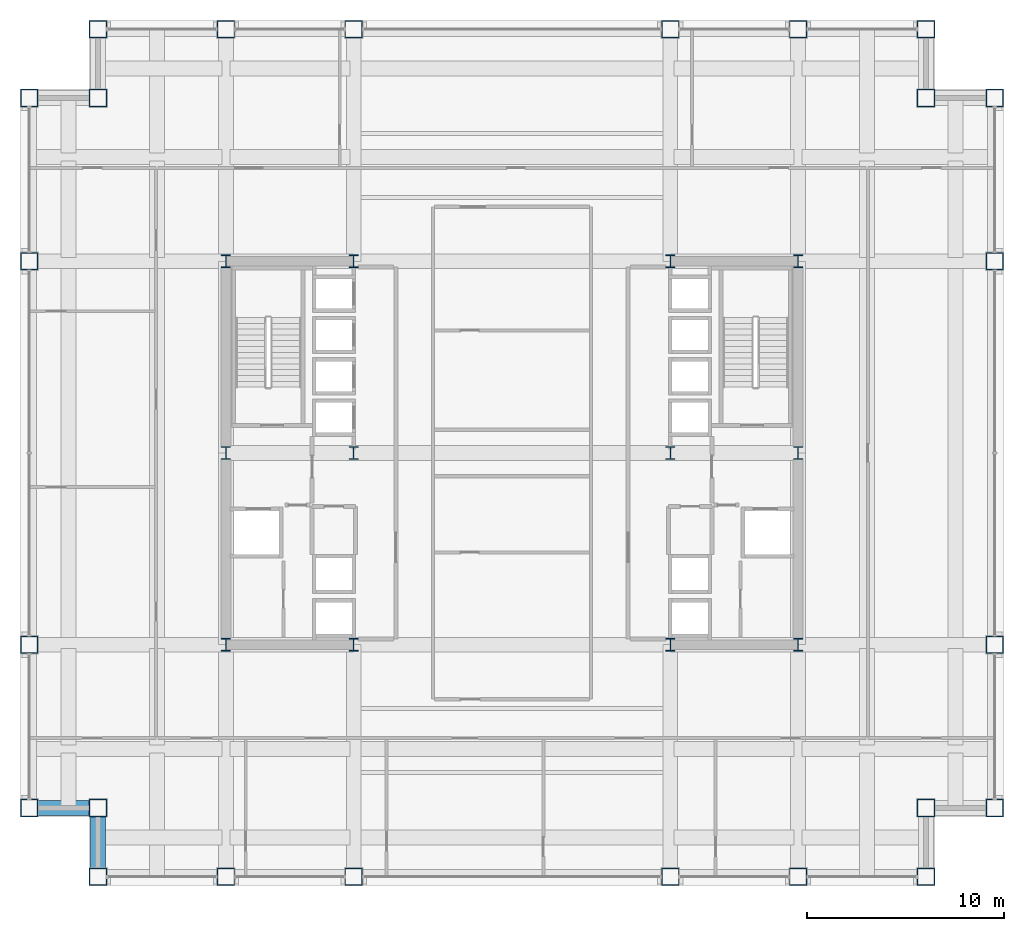
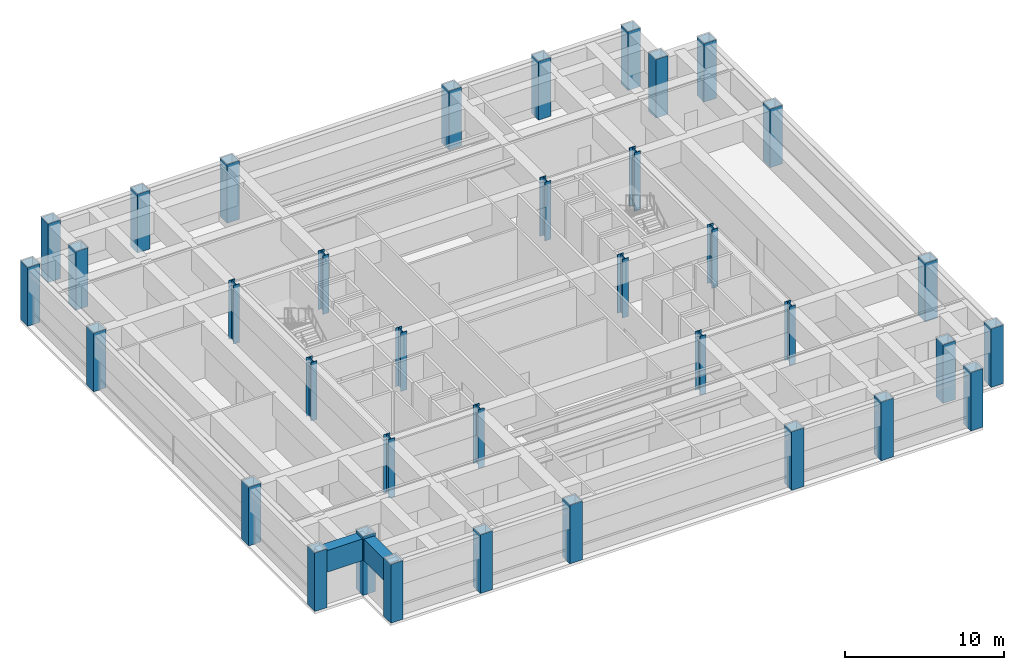
# One storey, part 1 of 29: 36 columns, 2 beams.
"""IFC4 building model written with IfcOpenShell, lengths in metres."""

from ifc_helpers import new_model, si_unit, direction, frame, origin, origin_2d, place, context, subcontext, project, spatial, hollow_rectangle, i_section, extrude, material, material_profile, profile_set, type_object, element, save


model = new_model("IFC4")

# Units and contexts
model_context = context("Model", 3, precision=1e-05, world=origin(), true_north=direction((0.0, 1.0)))
body_context = subcontext(model_context, "Body", "Model", "MODEL_VIEW")
ifc_project = project(units=[si_unit("LENGTHUNIT", "METRE"), si_unit("AREAUNIT", "SQUARE_METRE"), si_unit("VOLUMEUNIT", "CUBIC_METRE"), si_unit("PLANEANGLEUNIT", "RADIAN"), si_unit("MASSUNIT", "GRAM", prefix="KILO")], contexts=[model_context])

# Site, building, storey
site_placement = place(None, origin())
site = spatial("IfcSite", under=ifc_project, at=site_placement, CompositionType="ELEMENT")
building_placement = place(site_placement, origin())
building = spatial("IfcBuilding", under=site, at=building_placement, Name="Brelmoor Portico Tower", CompositionType="ELEMENT")
storey_placement = place(building_placement, frame((0.0, 0.0, 82.800048828125)))
storey = spatial("IfcBuildingStorey", under=building, at=storey_placement, Name="L21", CompositionType="ELEMENT", Elevation=82.800048828125)

# Columns
ifc_material = material(Name="Steel Q355B", Category="steel")
ifc_material_profile_1 = material_profile(ifc_material, hollow_rectangle(XDim=0.89990234375, YDim=0.89990234375, WallThickness=0.044921875, at=origin_2d()), Name="BOX 900x900x45")
ifc_profile_set_1 = profile_set([ifc_material_profile_1], Name="Steel Q355B")
column_type_1 = type_object("IfcColumnType", Name="COL-MEGA-900", PredefinedType="COLUMN", material=ifc_profile_set_1)
for number, where, z_axis, x_axis, name in (
    (1, (-21.050048828125, -21.550048828125, 0.0), (0.0, 0.0, 1.0), (1.0, 0.0, 0.0), "L21 Perimeter Mega-Column PS01"),
    (2, (-14.550048828125, -21.550048828125, 0.0), (0.0, 0.0, 1.0), (1.0, 0.0, 0.0), "L21 Perimeter Mega-Column PS02"),
    (3, (-8.050048828125, -21.550048828125, 0.0), (0.0, 0.0, 1.0), (1.0, 0.0, 0.0), "L21 Perimeter Mega-Column PS03"),
    (4, (8.050048828125, -21.550048828125, 0.0), (0.0, 0.0, 1.0), (1.0, 0.0, 0.0), "L21 Perimeter Mega-Column PS04"),
    (5, (14.550048828125, -21.550048828125, 0.0), (0.0, 0.0, 1.0), (1.0, 0.0, 0.0), "L21 Perimeter Mega-Column PS05"),
    (6, (21.050048828125, -21.550048828125, 0.0), (0.0, 0.0, 1.0), (1.0, 0.0, 0.0), "L21 Perimeter Mega-Column PS06"),
    (7, (-21.050048828125, 21.550048828125, 0.0), (0.0, 0.0, 1.0), (1.0, 0.0, 0.0), "L21 Perimeter Mega-Column PN01"),
    (8, (-14.550048828125, 21.550048828125, 0.0), (0.0, 0.0, 1.0), (1.0, 0.0, 0.0), "L21 Perimeter Mega-Column PN02"),
    (9, (-8.050048828125, 21.550048828125, 0.0), (0.0, 0.0, 1.0), (1.0, 0.0, 0.0), "L21 Perimeter Mega-Column PN03"),
    (10, (8.050048828125, 21.550048828125, 0.0), (0.0, 0.0, 1.0), (1.0, 0.0, 0.0), "L21 Perimeter Mega-Column PN04"),
    (11, (14.550048828125, 21.550048828125, 0.0), (0.0, 0.0, 1.0), (1.0, 0.0, 0.0), "L21 Perimeter Mega-Column PN05"),
    (12, (21.050048828125, 21.550048828125, 0.0), (0.0, 0.0, 1.0), (1.0, 0.0, 0.0), "L21 Perimeter Mega-Column PN06"),
    (13, (-24.550048828125, -18.050048828125, 0.0), (0.0, 0.0, 1.0), (0.0, 1.0, 0.0), "L21 Perimeter Mega-Column PW01"),
    (14, (-24.550048828125, -9.75, 0.0), (0.0, 0.0, 1.0), (0.0, 1.0, 0.0), "L21 Perimeter Mega-Column PW02"),
    (15, (-24.550048828125, 9.75, 0.0), (0.0, 0.0, 1.0), (0.0, 1.0, 0.0), "L21 Perimeter Mega-Column PW03"),
    (16, (-24.550048828125, 18.050048828125, 0.0), (0.0, 0.0, 1.0), (0.0, 1.0, 0.0), "L21 Perimeter Mega-Column PW04"),
    (17, (24.550048828125, -18.050048828125, 0.0), (0.0, 0.0, 1.0), (0.0, 1.0, 0.0), "L21 Perimeter Mega-Column PE01"),
    (18, (24.550048828125, -9.75, 0.0), (0.0, 0.0, 1.0), (0.0, 1.0, 0.0), "L21 Perimeter Mega-Column PE02"),
    (19, (24.550048828125, 9.75, 0.0), (0.0, 0.0, 1.0), (0.0, 1.0, 0.0), "L21 Perimeter Mega-Column PE03"),
    (20, (24.550048828125, 18.050048828125, 0.0), (0.0, 0.0, 1.0), (0.0, 1.0, 0.0), "L21 Perimeter Mega-Column PE04"),
    (21, (-21.050048828125, 18.050048828125, 0.0), (0.0, 0.0, 1.0), (1.0, 0.0, 0.0), "L21 Perimeter Mega-Column PC-NW"),
    (22, (21.050048828125, 18.050048828125, 0.0), (0.0, 0.0, 1.0), (1.0, 0.0, 0.0), "L21 Perimeter Mega-Column PC-NE"),
    (23, (21.050048828125, -18.050048828125, 0.0), (0.0, 0.0, 1.0), (1.0, 0.0, 0.0), "L21 Perimeter Mega-Column PC-SE"),
    (24, (-21.050048828125, -18.050048828125, 0.0), (0.0, 0.0, 1.0), (1.0, 0.0, 0.0), "L21 Perimeter Mega-Column PC-SW"),
):
    element("IfcColumn", number, at=place(storey_placement, frame(where, z_axis=z_axis, x_axis=x_axis)), inside=storey, type_object=column_type_1, Name=name, PredefinedType="COLUMN", context=body_context, shape_type="SweptSolid", body=[
        extrude(hollow_rectangle(XDim=0.89990234375, YDim=0.89990234375, WallThickness=0.044921875, at=origin_2d()), origin(), (0.0, 0.0, 1.0), 4.5),
    ])
ifc_material_profile_2 = material_profile(ifc_material, i_section(OverallWidth=0.449951171875, OverallDepth=0.64990234375, WebThickness=0.02490234375, FlangeThickness=0.0400390625, at=origin_2d()), Name="HW 650x450x25x40")
ifc_profile_set_2 = profile_set([ifc_material_profile_2], Name="Steel Q355B")
column_type_2 = type_object("IfcColumnType", Name="COL-SPINE-650", PredefinedType="COLUMN", material=ifc_profile_set_2)
for number, where, z_axis, x_axis, name in (
    (25, (-14.550048828125, -9.75, 0.0), (0.0, 0.0, 1.0), (1.0, 0.0, 0.0), "L21 Core Spine Column CW-SW"),
    (26, (-14.550048828125, 0.0, 0.0), (0.0, 0.0, 1.0), (1.0, 0.0, 0.0), "L21 Core Spine Column CW-MW"),
    (27, (-14.550048828125, 9.75, 0.0), (0.0, 0.0, 1.0), (1.0, 0.0, 0.0), "L21 Core Spine Column CW-NW"),
    (28, (-8.050048828125, -9.75, 0.0), (0.0, 0.0, 1.0), (1.0, 0.0, 0.0), "L21 Core Spine Column CW-SE"),
    (29, (-8.050048828125, 0.0, 0.0), (0.0, 0.0, 1.0), (1.0, 0.0, 0.0), "L21 Core Spine Column CW-ME"),
    (30, (-8.050048828125, 9.75, 0.0), (0.0, 0.0, 1.0), (1.0, 0.0, 0.0), "L21 Core Spine Column CW-NE"),
    (31, (8.050048828125, -9.75, 0.0), (0.0, 0.0, 1.0), (1.0, 0.0, 0.0), "L21 Core Spine Column CE-SW"),
    (32, (8.050048828125, 0.0, 0.0), (0.0, 0.0, 1.0), (1.0, 0.0, 0.0), "L21 Core Spine Column CE-MW"),
    (33, (8.050048828125, 9.75, 0.0), (0.0, 0.0, 1.0), (1.0, 0.0, 0.0), "L21 Core Spine Column CE-NW"),
    (34, (14.550048828125, -9.75, 0.0), (0.0, 0.0, 1.0), (1.0, 0.0, 0.0), "L21 Core Spine Column CE-SE"),
    (35, (14.550048828125, 0.0, 0.0), (0.0, 0.0, 1.0), (1.0, 0.0, 0.0), "L21 Core Spine Column CE-ME"),
    (36, (14.550048828125, 9.75, 0.0), (0.0, 0.0, 1.0), (1.0, 0.0, 0.0), "L21 Core Spine Column CE-NE"),
):
    element("IfcColumn", number, at=place(storey_placement, frame(where, z_axis=z_axis, x_axis=x_axis)), inside=storey, type_object=column_type_2, Name=name, PredefinedType="COLUMN", context=body_context, shape_type="SweptSolid", body=[
        extrude(i_section(OverallWidth=0.449951171875, OverallDepth=0.64990234375, WebThickness=0.02490234375, FlangeThickness=0.0400390625, at=origin_2d()), origin(), (0.0, 0.0, 1.0), 4.5),
    ])

# Beams
ifc_material_profile_3 = material_profile(ifc_material, hollow_rectangle(XDim=0.75, YDim=1.659912109375, WallThickness=0.0419921875, at=origin_2d()), Name="BOX 750x1660x42")
ifc_profile_set_3 = profile_set([ifc_material_profile_3], Name="Steel Q355B")
beam_type = type_object("IfcBeamType", Name="BM-TG-Z2", PredefinedType="BEAM", material=ifc_profile_set_3)
for number, where, z_axis, x_axis, name in (
    (37, (-24.550048828125, -18.050048828125, 3.469970703125), (1.0, 0.0, 0.0), (0.0, 1.0, 0.0), "L21 Perimeter Transfer Beam SP-06"),
    (38, (-21.050048828125, -21.550048828125, 3.469970703125), (0.0, 1.0, 0.0), (-1.0, 0.0, 0.0), "L21 Perimeter Transfer Beam SP-18"),
):
    element("IfcBeam", number, at=place(storey_placement, frame(where, z_axis=z_axis, x_axis=x_axis)), inside=storey, type_object=beam_type, Name=name, PredefinedType="BEAM", context=body_context, shape_type="SweptSolid", body=[
        extrude(hollow_rectangle(XDim=0.75, YDim=1.659912109375, WallThickness=0.0419921875, at=origin_2d()), origin(), (0.0, 0.0, 1.0), 3.5),
    ])

save(model, "model.ifc")
